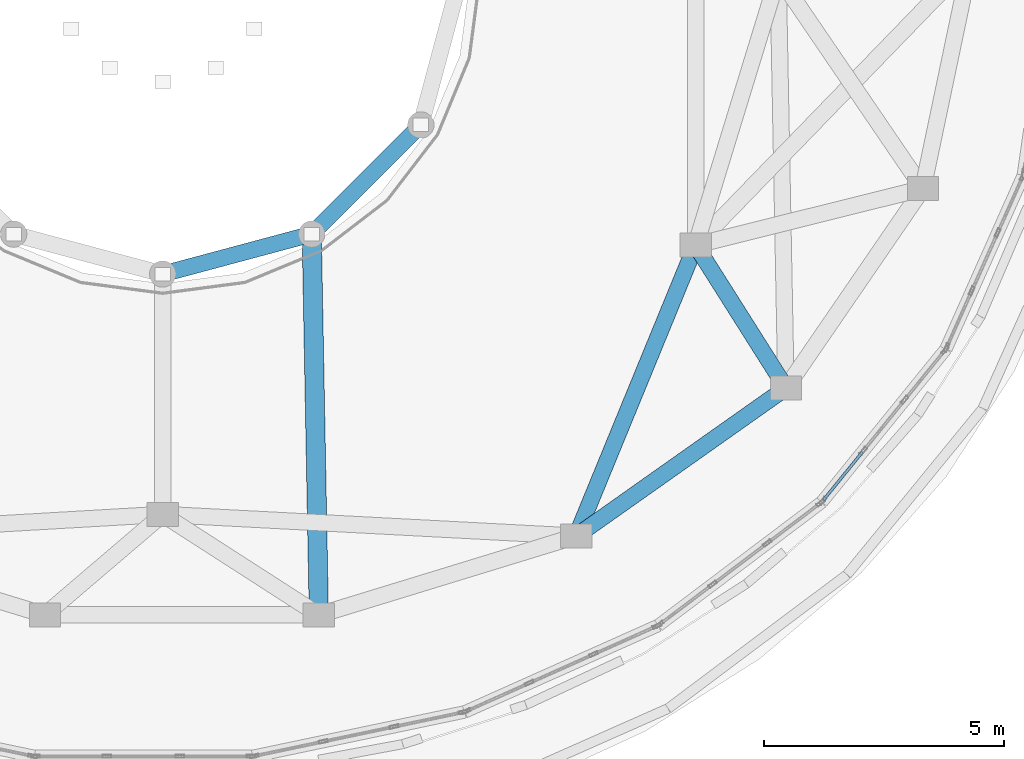
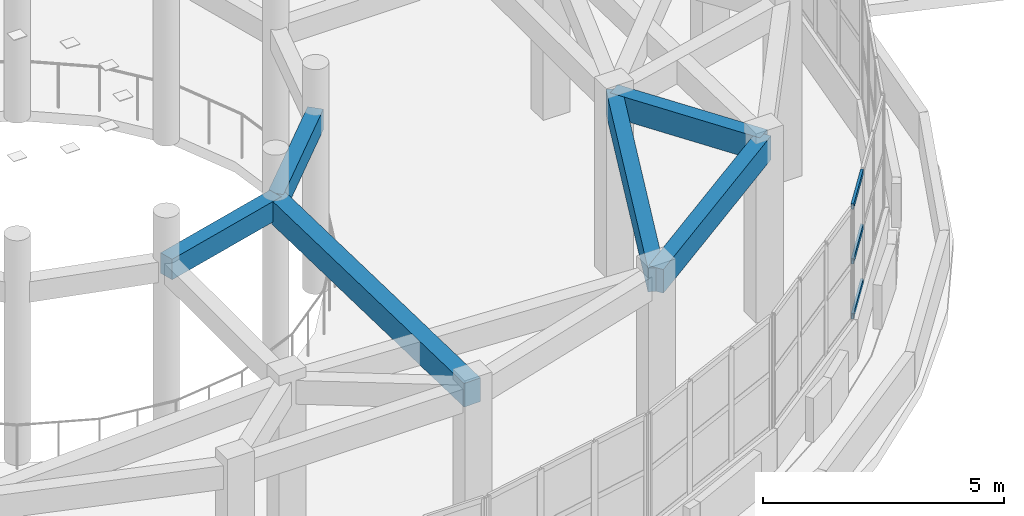
# One storey, part 9 of 98: 6 beams, 3 members, 1 element without a shape of its own.
"""IFC4 building model written with IfcOpenShell, lengths in metres."""

from ifc_helpers import new_model, si_unit, direction, frame, origin, origin_2d, place, context, subcontext, project, spatial, rectangle, hollow_rectangle, extrude, material, layer, layer_set, material_profile, profile_set, type_object, element, aggregate, save


model = new_model("IFC4")

# Units and contexts
model_context = context("Model", 3, precision=1e-05, world=origin(), true_north=direction((0.0, 1.0)))
body_context = subcontext(model_context, "Body", "Model", "MODEL_VIEW")
ifc_project = project(units=[si_unit("LENGTHUNIT", "METRE"), si_unit("AREAUNIT", "SQUARE_METRE"), si_unit("VOLUMEUNIT", "CUBIC_METRE"), si_unit("PLANEANGLEUNIT", "RADIAN"), si_unit("MASSUNIT", "GRAM", prefix="KILO")], contexts=[model_context])

# Site, building, storey
site_placement = place(None, origin())
site = spatial("IfcSite", under=ifc_project, at=site_placement, CompositionType="ELEMENT")
building_placement = place(site_placement, origin())
building = spatial("IfcBuilding", under=site, at=building_placement, Name="Pelvatis Terrace Science Centre", CompositionType="ELEMENT")
storey_placement = place(building_placement, frame((0.0, 0.0, 5.39990234375)))
storey = spatial("IfcBuildingStorey", under=building, at=storey_placement, Name="L01", CompositionType="ELEMENT", Elevation=5.39990234375)

# Beams
ifc_material_1 = material(Name="Concrete C35/45", Category="concrete")
ifc_material_profile_1 = material_profile(ifc_material_1, rectangle(XDim=0.340087890625, YDim=0.52001953125, at=origin_2d()), Name="RC-BM 340x520")
ifc_profile_set_1 = profile_set([ifc_material_profile_1], Name="Concrete C35/45")
beam_type_1 = type_object("IfcBeamType", Name="BM-RC-340x520", PredefinedType="BEAM", material=ifc_profile_set_1)
beam_1_placement = place(storey_placement, frame((46.800048828125, 28.89990234375, 4.280029296875), z_axis=(0.965909675762, 0.25887931217, 0.0), x_axis=(-0.25887931217, 0.965909675762, 0.0)))
element("IfcBeam", 1, at=beam_1_placement, inside=storey, type_object=beam_type_1, Name="Beam BM-L01-2598", PredefinedType="BEAM", context=body_context, shape_type="SweptSolid", body=[
    extrude(rectangle(XDim=0.340087890625, YDim=0.52001953125, at=origin_2d()), origin(), (0.0, 0.0, 1.0), 3.209228515625),
])
beam_2_placement = place(storey_placement, frame((49.89990234375, 29.730712890625, 4.280029296875), z_axis=(0.707144815061, 0.707068745266, 0.0), x_axis=(-0.707068745266, 0.707144815061, 0.0)))
element("IfcBeam", 2, at=beam_2_placement, inside=storey, type_object=beam_type_1, Name="Beam BM-L01-2600", PredefinedType="BEAM", context=body_context, shape_type="SweptSolid", body=[
    extrude(rectangle(XDim=0.340087890625, YDim=0.52001953125, at=origin_2d()), origin(), (0.0, 0.0, 1.0), 3.20947265625),
])
ifc_material_2 = material(Name="Concrete C35/45", Category="concrete")
ifc_material_profile_2 = material_profile(ifc_material_2, rectangle(XDim=0.39990234375, YDim=0.60009765625, at=origin_2d()), Name="RC-BM 400x600")
ifc_profile_set_2 = profile_set([ifc_material_profile_2], Name="Concrete C35/45")
beam_type_2 = type_object("IfcBeamType", Name="BM-RC-400x600", PredefinedType="BEAM", material=ifc_profile_set_2)
beam_3_placement = place(storey_placement, frame((49.89990234375, 29.730712890625, 4.239990234375), z_axis=(0.01867508066, -0.999825605474, 0.0), x_axis=(0.999825605474, 0.01867508066, 0.0)))
element("IfcBeam", 3, at=beam_3_placement, inside=storey, type_object=beam_type_2, Name="Beam BM-L01-2601", PredefinedType="BEAM", context=body_context, shape_type="SweptSolid", body=[
    extrude(rectangle(XDim=0.39990234375, YDim=0.60009765625, at=origin_2d()), origin(), (0.0, 0.0, 1.0), 7.92236328125),
])

# Curtain wall, members
ifc_material_3 = material(Name="Bronze-anodised aluminium and laminated glass", Category="aluminium")
ifc_layer = layer(ifc_material_3, 0.179931640625)
ifc_layer_set = layer_set([ifc_layer], Name="Bronze-anodised aluminium and laminated glass")
curtain_wall_type = type_object("IfcCurtainWallType", Name="CW-RIBBON-A", PredefinedType="NOTDEFINED", material=ifc_layer_set)
curtain_wall_placement = place(storey_placement, origin())
curtain_wall = element("IfcCurtainWall", 4, at=curtain_wall_placement, inside=storey, type_object=curtain_wall_type, Name="Ribbon curtain wall CW-040 (L01)", PredefinedType="NOTDEFINED")
ifc_material_4 = material(Name="Bronze-anodised aluminium 6063-T6", Category="aluminium")
ifc_material_profile_3 = material_profile(ifc_material_4, hollow_rectangle(XDim=0.06005859375, YDim=0.139892578125, WallThickness=0.00390625, at=origin_2d()), Name="ALU-TRN 60x140")
ifc_profile_set_3 = profile_set([ifc_material_profile_3], Name="Bronze-anodised aluminium 6063-T6")
member_type = type_object("IfcMemberType", Name="CWT-60x140", PredefinedType="USERDEFINED", material=ifc_profile_set_3)
member_1_placement = place(storey_placement, frame((60.547119140625, 24.20361328125, 1.050048828125), z_axis=(0.629836265842, 0.776727930636, 0.0), x_axis=(-0.776727930636, 0.629836265842, 0.0)))
member_1 = element("IfcMember", 5, at=member_1_placement, type_object=member_type, Name="CW-040 transom 1.1", ObjectType="TRANSOM", PredefinedType="USERDEFINED", context=body_context, shape_type="SweptSolid", body=[
    extrude(hollow_rectangle(XDim=0.06005859375, YDim=0.139892578125, WallThickness=0.00390625, at=origin_2d()), origin(), (0.0, 0.0, 1.0), 1.2763671875),
])
member_2_placement = place(storey_placement, frame((60.547119140625, 24.20361328125, 2.440185546875), z_axis=(0.629836265842, 0.776727930636, 0.0), x_axis=(-0.776727930636, 0.629836265842, 0.0)))
member_2 = element("IfcMember", 6, at=member_2_placement, type_object=member_type, Name="CW-040 transom 1.2", ObjectType="TRANSOM", PredefinedType="USERDEFINED", context=body_context, shape_type="SweptSolid", body=[
    extrude(hollow_rectangle(XDim=0.06005859375, YDim=0.139892578125, WallThickness=0.00390625, at=origin_2d()), origin(), (0.0, 0.0, 1.0), 1.2763671875),
])
member_3_placement = place(storey_placement, frame((60.547119140625, 24.20361328125, 3.830078125), z_axis=(0.629836265842, 0.776727930636, 0.0), x_axis=(-0.776727930636, 0.629836265842, 0.0)))
member_3 = element("IfcMember", 7, at=member_3_placement, type_object=member_type, Name="CW-040 transom 1.3", ObjectType="TRANSOM", PredefinedType="USERDEFINED", context=body_context, shape_type="SweptSolid", body=[
    extrude(hollow_rectangle(XDim=0.06005859375, YDim=0.139892578125, WallThickness=0.00390625, at=origin_2d()), origin(), (0.0, 0.0, 1.0), 1.2763671875),
])
aggregate(curtain_wall, [member_1, member_2, member_3])

# Beams
ifc_material_5 = material(Name="Concrete C35/45", Category="concrete")
ifc_material_profile_4 = material_profile(ifc_material_5, rectangle(XDim=0.340087890625, YDim=0.60009765625, at=origin_2d()), Name="RC-SPN 340x600")
ifc_profile_set_4 = profile_set([ifc_material_profile_4], Name="Concrete C35/45")
beam_type_3 = type_object("IfcBeamType", Name="SPN-RC-340x600", PredefinedType="SPANDREL", material=ifc_profile_set_4)
beam_4_placement = place(storey_placement, frame((55.39990234375, 23.44873046875, 4.239990234375), z_axis=(0.816893119097, 0.576789070607, 0.0), x_axis=(-0.576789070607, 0.816893119097, 0.0)))
element("IfcBeam", 8, at=beam_4_placement, inside=storey, type_object=beam_type_3, Name="Spandrel SP-L01-2702", PredefinedType="SPANDREL", context=body_context, shape_type="SweptSolid", body=[
    extrude(rectangle(XDim=0.340087890625, YDim=0.60009765625, at=origin_2d()), origin(), (0.0, 0.0, 1.0), 5.34130859375),
])
beam_5_placement = place(storey_placement, frame((55.39990234375, 23.44873046875, 4.239990234375), z_axis=(0.379888060317, 0.925032465175, 0.0), x_axis=(-0.925032465175, 0.379888060317, 0.0)))
element("IfcBeam", 9, at=beam_5_placement, inside=storey, type_object=beam_type_3, Name="Spandrel SP-L01-2704", PredefinedType="SPANDREL", context=body_context, shape_type="SweptSolid", body=[
    extrude(rectangle(XDim=0.340087890625, YDim=0.60009765625, at=origin_2d()), origin(), (0.0, 0.0, 1.0), 6.541748046875),
])
beam_6_placement = place(storey_placement, frame((59.76318359375, 26.529541015625, 4.239990234375), z_axis=(-0.534418949441, 0.845219726745, 0.0), x_axis=(-0.845219726745, -0.534418949441, 0.0)))
element("IfcBeam", 10, at=beam_6_placement, inside=storey, type_object=beam_type_3, Name="Spandrel SP-L01-2707", PredefinedType="SPANDREL", context=body_context, shape_type="SweptSolid", body=[
    extrude(rectangle(XDim=0.340087890625, YDim=0.60009765625, at=origin_2d()), origin(), (0.0, 0.0, 1.0), 3.514404296875),
])

save(model, "model.ifc")
